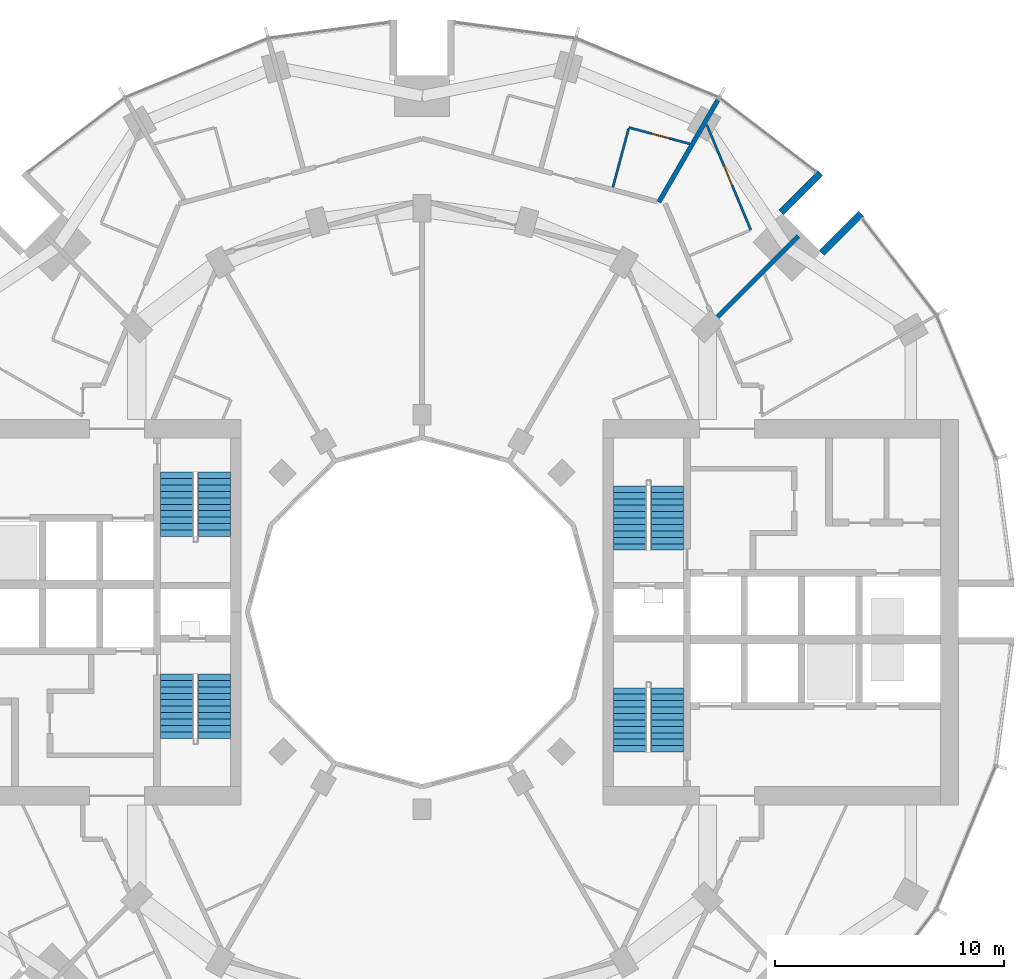
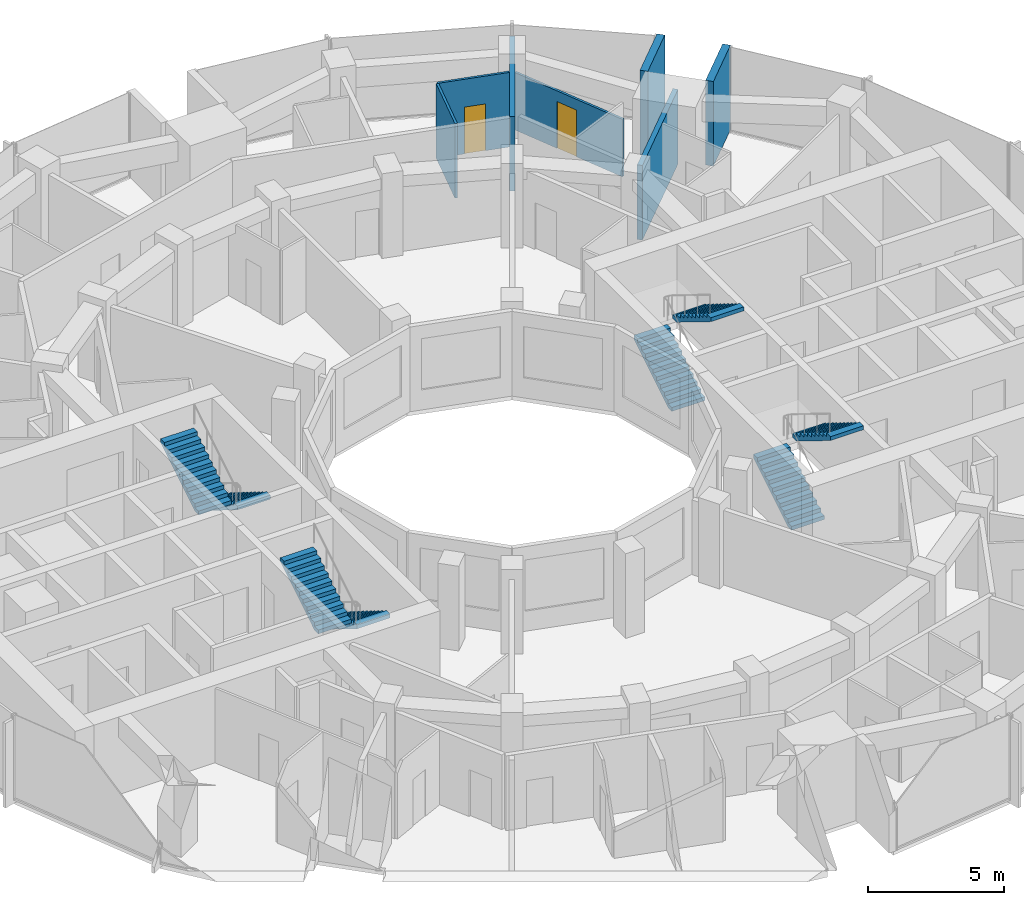
# One storey, part 13 of 15: 8 stair flights, 7 walls, 2 doors, 2 openings, 4 elements without a shape of their own.
"""IFC4 building model written with IfcOpenShell, lengths in metres."""

import ifcopenshell
import ifcopenshell.guid

model = None  # the IFC model being written
_history = None  # IfcOwnerHistory: only IFC2X3 demands one
_inside = {}  # id of a spatial element -> (the spatial element, [elements in it])
_under = {}  # id of a project, library or spatial element -> (it, [spatial elements below it])
_declared = {}  # id of a project -> (the project, [libraries it declares])
_typed = {}  # id of a type object -> (the type object, [elements of that type])
_made_of = {}  # id of a material, layer set ... -> (it, [elements and type objects made of it])


def new_model(schema):
    """Start an empty IFC model of exactly this schema.

    Asked for "IFC4X3", IfcOpenShell would pick the latest addendum, in which some entities
    have other attributes; the version numbers below select the first issue.
    IFC2X3 requires an IfcOwnerHistory on every rooted entity: one is made here for all.
    """
    global model, _history
    if schema == "IFC4X3":
        model = ifcopenshell.file(schema_version=(4, 3, 0, 0))
    else:
        model = ifcopenshell.file(schema=schema)
    _inside.clear()
    _under.clear()
    _declared.clear()
    _typed.clear()
    _made_of.clear()
    _history = None
    if model.schema == "IFC2X3":
        org = make("IfcOrganization", Name="unknown")
        user = make(
            "IfcPersonAndOrganization",
            ThePerson=make("IfcPerson", FamilyName="unknown"),
            TheOrganization=org,
        )
        app = make(
            "IfcApplication",
            ApplicationDeveloper=org,
            Version="unknown",
            ApplicationFullName="unknown",
            ApplicationIdentifier="unknown",
        )
        _history = make(
            "IfcOwnerHistory",
            OwningUser=user,
            OwningApplication=app,
            ChangeAction="ADDED",
            CreationDate=0,
        )
    return model


def make(cls, **values):
    """One entity of the class cls with the attributes given. An attribute that is None is left unset."""
    return model.create_entity(
        cls, **{name: value for name, value in values.items() if value is not None}
    )


def rooted(cls, **values):
    """An entity with a GlobalId (a new one), such as an element, a storey or a relation."""
    return make(cls, GlobalId=ifcopenshell.guid.new(), OwnerHistory=_history, **values)


def si_unit(unit_type, name, prefix=None):
    """IfcSIUnit, for example si_unit("LENGTHUNIT", "METRE", prefix="MILLI")."""
    return make("IfcSIUnit", UnitType=unit_type, Prefix=prefix, Name=name)


def assignment(units):
    """IfcUnitAssignment: the units of a project."""
    return None if units is None else make("IfcUnitAssignment", Units=units)


def point(xyz):
    """IfcCartesianPoint."""
    return None if xyz is None else make("IfcCartesianPoint", Coordinates=xyz)


def direction(xyz):
    """IfcDirection."""
    return None if xyz is None else make("IfcDirection", DirectionRatios=xyz)


def frame(location, z_axis=None, x_axis=None):
    """IfcAxis2Placement3D, a coordinate frame: its origin and axes. An axis left out is left unset."""
    return make(
        "IfcAxis2Placement3D",
        Location=point(location),
        Axis=direction(z_axis),
        RefDirection=direction(x_axis),
    )


def frame_2d(location, x_axis=None):
    """IfcAxis2Placement2D, a coordinate frame in the plane: its origin and x axis."""
    return make(
        "IfcAxis2Placement2D", Location=point(location), RefDirection=direction(x_axis)
    )


def origin():
    """The frame at (0, 0, 0) with its axes left unset."""
    return frame((0.0, 0.0, 0.0))


def place(relative_to, where):
    """IfcLocalPlacement: puts the frame where relative to a parent placement (None: the world)."""
    return make(
        "IfcLocalPlacement", PlacementRelTo=relative_to, RelativePlacement=where
    )


def context(
    kind, dimensions, precision=None, world=None, true_north=None, identifier=None
):
    """IfcGeometricRepresentationContext, for example the 3D "Model" context."""
    return make(
        "IfcGeometricRepresentationContext",
        ContextIdentifier=identifier,
        ContextType=kind,
        CoordinateSpaceDimension=dimensions,
        Precision=precision,
        WorldCoordinateSystem=world,
        TrueNorth=true_north,
    )


def subcontext(parent, identifier, kind, view, scale=None):
    """IfcGeometricRepresentationSubContext, for example "Body" below "Model"."""
    return make(
        "IfcGeometricRepresentationSubContext",
        ContextIdentifier=identifier,
        ContextType=kind,
        ParentContext=parent,
        TargetScale=scale,
        TargetView=view,
    )


def project(units=None, contexts=None):
    """IfcProject with its units and contexts."""
    return rooted(
        "IfcProject",
        Name="project",
        RepresentationContexts=contexts,
        UnitsInContext=assignment(units),
    )


def spatial(cls, under=None, at=None, **own):
    """A site, building, storey or space (cls), placed at a placement, below another one or the project."""
    s = rooted(cls, ObjectPlacement=at, **own)
    if under is not None:
        _under.setdefault(under.id(), (under, []))[1].append(s)
    return s


def polyline(points):
    """IfcPolyline through the points."""
    return make("IfcPolyline", Points=[point(p) for p in points])


def profile(cls, at=None, kind="AREA", **sizes):
    """A parametric profile (cls). Its sizes go by their IFC names, for example OverallWidth=200.0."""
    return make(cls, ProfileType=kind, Position=at, **sizes)


def rectangle(**sizes):
    """IfcRectangleProfileDef."""
    return profile("IfcRectangleProfileDef", **sizes)


def outline(outer, holes=None, kind="AREA"):
    """IfcArbitraryClosedProfileDef: a profile drawn as a closed curve; with holes, ...WithVoids."""
    if holes is None:
        return make("IfcArbitraryClosedProfileDef", ProfileType=kind, OuterCurve=outer)
    return make(
        "IfcArbitraryProfileDefWithVoids",
        ProfileType=kind,
        OuterCurve=outer,
        InnerCurves=holes,
    )


def extrude(swept, where, along, depth):
    """IfcExtrudedAreaSolid: the profile swept, set in the frame where, extruded along a direction by depth."""
    return make(
        "IfcExtrudedAreaSolid",
        SweptArea=swept,
        Position=where,
        ExtrudedDirection=direction(along),
        Depth=depth,
    )


def shape(context_of_items, identifier, shape_type, items):
    """IfcShapeRepresentation: the items that make up one representation, for example the "Body"."""
    return make(
        "IfcShapeRepresentation",
        ContextOfItems=context_of_items,
        RepresentationIdentifier=identifier,
        RepresentationType=shape_type,
        Items=items,
    )


def material(Name=None, Category=None):
    """IfcMaterial."""
    return make("IfcMaterial", Name=Name, Category=Category)


def layer(
    of_material, thickness, ventilated=None, Name=None, Category=None, Priority=None
):
    """IfcMaterialLayer: one layer of a wall or slab, of a material (None: an air gap)."""
    return make(
        "IfcMaterialLayer",
        Material=of_material,
        LayerThickness=thickness,
        IsVentilated=ventilated,
        Name=Name,
        Category=Category,
        Priority=Priority,
    )


def layer_set(layers, Name=None):
    """IfcMaterialLayerSet."""
    return make("IfcMaterialLayerSet", MaterialLayers=layers, LayerSetName=Name)


def made_of(thing, what):
    """Note that an element or type object is made of a material, layer set ...; save() writes the relation."""
    if what is not None:
        _made_of.setdefault(what.id(), (what, []))[1].append(thing)
    return thing


def type_object(cls, material=None, **own):
    """A type object (cls), such as IfcWallType, which elements share."""
    return made_of(rooted(cls, **own), material)


def element(
    cls,
    number,
    at=None,
    inside=None,
    cuts=None,
    type_object=None,
    material=None,
    context=None,
    identifier="Body",
    shape_type=None,
    held_by="IfcProductDefinitionShape",
    body=None,
    shapes=None,
    **own,
):
    """One element of the class cls, such as IfcWall. Its Tag is "e" and its number.

    at: its placement. inside: the storey or other place that contains it. cuts: it is an
    opening in that element (IfcRelVoidsElement). A single representation is given by context,
    identifier, shape_type and body (its items); several are given by shapes. held_by: the class
    of the entity that holds the representations. save() writes the other relations.
    """
    e = rooted(cls, Tag="e%d" % number, ObjectPlacement=at, **own)
    if body is not None:
        shapes = [shape(context, identifier, shape_type, body)]
    if shapes is not None:
        e.Representation = make(held_by, Representations=shapes)
    if inside is not None:
        _inside.setdefault(inside.id(), (inside, []))[1].append(e)
    if cuts is not None:
        rooted(
            "IfcRelVoidsElement", RelatingBuildingElement=cuts, RelatedOpeningElement=e
        )
    if type_object is not None:
        _typed.setdefault(type_object.id(), (type_object, []))[1].append(e)
    return made_of(e, material)


def fill(opening, filler):
    """IfcRelFillsElement: the door or window that sits in an opening."""
    return rooted(
        "IfcRelFillsElement",
        RelatingOpeningElement=opening,
        RelatedBuildingElement=filler,
    )


def aggregate(whole, parts):
    """IfcRelAggregates: a whole, such as a stair, and the parts it consists of."""
    return rooted("IfcRelAggregates", RelatingObject=whole, RelatedObjects=parts)


def save(model, path):
    """Write the relations noted so far, then the file.

    IfcRelAggregates (storeys below a building ...), IfcRelContainedInSpatialStructure (elements
    in a storey), IfcRelDefinesByType, IfcRelAssociatesMaterial and IfcRelDeclares: one each for
    every whole, place, type object, material and project.
    """
    for whole, parts in _under.values():
        aggregate(whole, parts)
    for where, things in _inside.values():
        rooted(
            "IfcRelContainedInSpatialStructure",
            RelatedElements=things,
            RelatingStructure=where,
        )
    for kind, things in _typed.values():
        rooted("IfcRelDefinesByType", RelatedObjects=things, RelatingType=kind)
    for what, things in _made_of.values():
        rooted("IfcRelAssociatesMaterial", RelatedObjects=things, RelatingMaterial=what)
    for by, libraries in _declared.values():
        rooted("IfcRelDeclares", RelatingContext=by, RelatedDefinitions=libraries)
    model.write(path)


model = new_model("IFC4")

# Units and contexts
model_context = context("Model", 3, precision=1e-05, world=origin(), true_north=direction((0.0, 1.0)))
body_context = subcontext(model_context, "Body", "Model", "MODEL_VIEW")
ifc_project = project(units=[si_unit("LENGTHUNIT", "METRE"), si_unit("AREAUNIT", "SQUARE_METRE"), si_unit("VOLUMEUNIT", "CUBIC_METRE"), si_unit("PLANEANGLEUNIT", "RADIAN"), si_unit("MASSUNIT", "GRAM", prefix="KILO")], contexts=[model_context])

# Site, building, storey
site_placement = place(None, origin())
site = spatial("IfcSite", under=ifc_project, at=site_placement, CompositionType="ELEMENT")
building_placement = place(site_placement, origin())
building = spatial("IfcBuilding", under=site, at=building_placement, Name="Torre Brocal", CompositionType="ELEMENT")
storey_placement = place(building_placement, frame((0.0, 0.0, 86.199951171875)))
storey = spatial("IfcBuildingStorey", under=building, at=storey_placement, Name="L19", CompositionType="ELEMENT", Elevation=86.199951171875)

# Walls
ifc_material_1 = material(Name="Concrete C80", Category="concrete")
ifc_layer_1 = layer(ifc_material_1, 0.300048828125)
ifc_layer_set_1 = layer_set([ifc_layer_1], Name="Concrete C80")
wall_type_1 = type_object("IfcWallType", Name="NOTCH RETURN WALL 300 C80", PredefinedType="NOTDEFINED", material=ifc_layer_set_1)
for number, where, z_axis, x_axis, name in (
    (1, (97.43017578125, 90.662353515625, 0.0), (0.0, 0.0, 1.0), (0.707106781187, 0.707106781187, 0.0), "NOTCH RETURN WALL"),
    (2, (95.662353515625, 92.43017578125, 0.0), (0.0, 0.0, 1.0), (0.707106781187, 0.707106781187, 0.0), "NOTCH RETURN WALL"),
):
    element("IfcWall", number, at=place(storey_placement, frame(where, z_axis=z_axis, x_axis=x_axis)), inside=storey, type_object=wall_type_1, Name=name, PredefinedType="NOTDEFINED", context=body_context, shape_type="SweptSolid", body=[
        extrude(rectangle(XDim=2.415771484375, YDim=0.300048828125, at=frame_2d((1.2080078125, 0.0))), origin(), (0.0, 0.0, 1.0), 3.800048828125),
    ])
ifc_material_2 = material(Name="Gypsum board", Category="Gypsum")
ifc_layer_2 = layer(ifc_material_2, 0.10009765625)
ifc_layer_set_2 = layer_set([ifc_layer_2], Name="Gypsum board")
wall_type_2 = type_object("IfcWallType", Name="PARTITION 100", PredefinedType="PARTITIONING", material=ifc_layer_set_2)
wall_1_placement = place(storey_placement, frame((88.32080078125, 93.5205078125, 0.0), z_axis=(0.0, 0.0, 1.0), x_axis=(0.258677737588, 0.965963678446, 0.0)))
element("IfcWall", 3, at=wall_1_placement, inside=storey, type_object=wall_type_2, Name="BATHROOM WALL", PredefinedType="PARTITIONING", context=body_context, shape_type="SweptSolid", body=[
    extrude(rectangle(XDim=2.649169921875, YDim=0.10009765625, at=frame_2d((1.32470703125, 0.0))), origin(), (0.0, 0.0, 1.0), 3.35009765625),
])

# Wall, opening, door
wall_2_placement = place(storey_placement, frame((89.018798828125, 96.12744140625, 0.0), z_axis=(0.0, 0.0, 1.0), x_axis=(0.965839030583, -0.259142754101, 0.0)))
wall_2 = element("IfcWall", 4, at=wall_2_placement, inside=storey, type_object=wall_type_2, Name="BATHROOM WALL", PredefinedType="PARTITIONING", context=body_context, shape_type="SweptSolid", body=[
    extrude(rectangle(XDim=2.740478515625, YDim=0.10009765625, at=frame_2d((1.3701171875, 0.0))), origin(), (0.0, 0.0, 1.0), 3.35009765625),
])
opening_1_placement = place(wall_2_placement, frame((1.025634765625, 0.0, 0.0)))
opening_1 = element("IfcOpeningElement", 5, at=opening_1_placement, cuts=wall_2, Name="Opening H05-D07", PredefinedType="OPENING", context=body_context, shape_type="SweptSolid", body=[
    extrude(rectangle(XDim=0.800048828125, YDim=2.10009765625, at=frame_2d((0.39990234375, 1.050048828125))), frame((0.0, 0.06005859375, 0.0), z_axis=(0.0, -1.0, 0.0), x_axis=(1.0, 0.0, 0.0)), (0.0, 0.0, 1.0), 0.1201171875),
])
ifc_material_3 = material(Name="Timber", Category="wood")
door_type_1 = type_object("IfcDoorType", Name="BATHROOM DOOR 800X2100", OperationType="SINGLE_SWING_LEFT", PredefinedType="DOOR", material=ifc_material_3)
door_1_placement = place(opening_1_placement, frame((0.800048828125, 0.0, 0.0), z_axis=(0.0, 0.0, 1.0), x_axis=(-1.0, 0.0, 0.0)))
door_1 = element("IfcDoor", 6, at=door_1_placement, inside=storey, type_object=door_type_1, Name="H05-D07", OperationType="SINGLE_SWING_LEFT", OverallHeight=2.10009765625, OverallWidth=0.800048828125, PredefinedType="DOOR", context=body_context, shape_type="SweptSolid", body=[
    extrude(rectangle(XDim=0.800048828125, YDim=2.10009765625, at=frame_2d((0.39990234375, 1.050048828125))), frame((0.0, 0.02490234375, 0.0), z_axis=(0.0, -1.0, 0.0), x_axis=(1.0, 0.0, 0.0)), (0.0, 0.0, 1.0), 0.050048828125),
])
fill(opening_1, door_1)

ifc_material_4 = material(Name="Gypsum board", Category="Gypsum")
ifc_layer_3 = layer(ifc_material_4, 0.10009765625)
ifc_layer_set_3 = layer_set([ifc_layer_3], Name="Gypsum board")
wall_type_3 = type_object("IfcWallType", Name="PARTITION 100 UNDER BEAM 1220", PredefinedType="PARTITIONING", material=ifc_layer_set_3)
wall_3_placement = place(storey_placement, frame((92.4140625, 96.24609375, 0.0), z_axis=(0.0, 0.0, 1.0), x_axis=(0.386353683992, -0.922350709256, 0.0)))
wall_3 = element("IfcWall", 7, at=wall_3_placement, inside=storey, type_object=wall_type_3, Name="BATHROOM WALL", PredefinedType="PARTITIONING", context=body_context, shape_type="SweptSolid", body=[
    extrude(rectangle(XDim=4.974365234375, YDim=0.10009765625, at=frame_2d((2.4873046875, 0.0))), origin(), (0.0, 0.0, 1.0), 2.580078125),
])
opening_2_placement = place(wall_3_placement, frame((1.95703125, 0.0, 0.0)))
opening_2 = element("IfcOpeningElement", 8, at=opening_2_placement, cuts=wall_3, Name="Opening H05-D05", PredefinedType="OPENING", context=body_context, shape_type="SweptSolid", body=[
    extrude(rectangle(XDim=0.89990234375, YDim=2.10009765625, at=frame_2d((0.449951171875, 1.050048828125))), frame((0.0, 0.06005859375, 0.0), z_axis=(0.0, -1.0, 0.0), x_axis=(1.0, 0.0, 0.0)), (0.0, 0.0, 1.0), 0.1201171875),
])
ifc_material_5 = material(Name="Timber", Category="wood")
door_type_2 = type_object("IfcDoorType", Name="ACCESSIBLE BATHROOM DOOR 900X2100", OperationType="SINGLE_SWING_LEFT", PredefinedType="DOOR", material=ifc_material_5)
door_2_placement = place(opening_2_placement, frame((0.89990234375, 0.0, 0.0), z_axis=(0.0, 0.0, 1.0), x_axis=(-1.0, 0.0, 0.0)))
door_2 = element("IfcDoor", 9, at=door_2_placement, inside=storey, type_object=door_type_2, Name="H05-D05", OperationType="SINGLE_SWING_RIGHT", OverallHeight=2.10009765625, OverallWidth=0.89990234375, PredefinedType="DOOR", context=body_context, shape_type="SweptSolid", body=[
    extrude(rectangle(XDim=0.89990234375, YDim=2.10009765625, at=frame_2d((0.449951171875, 1.050048828125))), frame((0.0, 0.02490234375, 0.0), z_axis=(0.0, -1.0, 0.0), x_axis=(1.0, 0.0, 0.0)), (0.0, 0.0, 1.0), 0.050048828125),
])
fill(opening_2, door_2)

# Walls
ifc_material_6 = material(Name="Gypsum board", Category="Gypsum")
ifc_layer_4 = layer(ifc_material_6, 0.199951171875)
ifc_layer_set_4 = layer_set([ifc_layer_4], Name="Gypsum board")
wall_type_4 = type_object("IfcWallType", Name="PARTITION 200 EI60", PredefinedType="PARTITIONING", material=ifc_layer_set_4)
wall_4_placement = place(storey_placement, frame((90.32666015625, 92.8779296875, 0.0), z_axis=(0.0, 0.0, 1.0), x_axis=(0.50022153717, 0.865897461453, 0.0)))
element("IfcWall", 10, at=wall_4_placement, inside=storey, type_object=wall_type_4, Name="BATHROOM WALL", PredefinedType="PARTITIONING", context=body_context, shape_type="SweptSolid", body=[
    extrude(rectangle(XDim=5.151611328125, YDim=0.199951171875, at=frame_2d((2.57568359375, 0.0))), origin(), (0.0, 0.0, 1.0), 3.35009765625),
])
wall_5_placement = place(storey_placement, frame((92.831787109375, 87.824462890625, 0.0), z_axis=(0.0, 0.0, 1.0), x_axis=(0.707251566381, 0.70696196634, 0.0)))
element("IfcWall", 11, at=wall_5_placement, inside=storey, type_object=wall_type_4, Name="BATHROOM WALL", PredefinedType="PARTITIONING", context=body_context, shape_type="SweptSolid", body=[
    extrude(rectangle(XDim=5.05810546875, YDim=0.199951171875, at=frame_2d((2.529052734375, 0.0))), origin(), (0.0, 0.0, 1.0), 3.35009765625),
])

# Stair, stair flights
ifc_material_7 = material(Name="Concrete C50", Category="concrete")
stair_type = type_object("IfcStairType", Name="EXIT STAIR", PredefinedType="HALF_TURN_STAIR", material=ifc_material_7)
stair_1_placement = place(storey_placement, origin())
stair_1 = element("IfcStair", 12, at=stair_1_placement, inside=storey, type_object=stair_type, Name="EXIT STAIR ST1", PredefinedType="HALF_TURN_STAIR")
ifc_material_8 = material(Name="Concrete C50", Category="concrete")
ifc_layer_5 = layer(ifc_material_8, 0.14990234375)
ifc_layer_set_5 = layer_set([ifc_layer_5], Name="Concrete C50")
stair_flight_type = type_object("IfcStairFlightType", Name="STAIR FLIGHT", PredefinedType="STRAIGHT", material=ifc_layer_set_5)
stair_flight_1_placement = place(storey_placement, frame((89.050048828125, 77.699951171875, 0.0), z_axis=(0.0, 0.0, 1.0), x_axis=(0.0, 1.0, 0.0)))
stair_flight_1 = element("IfcStairFlight", 13, at=stair_flight_1_placement, type_object=stair_flight_type, Name="ST1 flight 1", NumberOfRisers=11, NumberOfTreads=10, PredefinedType="STRAIGHT", RiserHeight=0.172727273, TreadLength=0.28, context=body_context, shape_type="SweptSolid", body=[
    extrude(outline(polyline([(0.0, 0.0), (0.0, 0.172607421875), (0.280029296875, 0.172607421875), (0.280029296875, 0.345458984375), (0.56005859375, 0.345458984375), (0.56005859375, 0.51806640625), (0.840087890625, 0.51806640625), (0.840087890625, 0.69091796875), (1.1201171875, 0.69091796875), (1.1201171875, 0.863525390625), (1.39990234375, 0.863525390625), (1.39990234375, 1.036376953125), (1.679931640625, 1.036376953125), (1.679931640625, 1.208984375), (1.9599609375, 1.208984375), (1.9599609375, 1.3818359375), (2.239990234375, 1.3818359375), (2.239990234375, 1.554443359375), (2.52001953125, 1.554443359375), (2.52001953125, 1.727294921875), (2.800048828125, 1.727294921875), (2.800048828125, 1.89990234375), (2.800048828125, 1.551025390625), (0.285400390625, 0.0), (0.0, 0.0)])), frame((0.0, 0.699951171875, 0.0), z_axis=(0.0, -1.0, 0.0), x_axis=(1.0, 0.0, 0.0)), (0.0, 0.0, 1.0), 1.39990234375),
])
stair_flight_2_placement = place(storey_placement, frame((90.699951171875, 80.5, 1.900146484375), z_axis=(0.0, 0.0, 1.0), x_axis=(0.0, -1.0, 0.0)))
stair_flight_2 = element("IfcStairFlight", 14, at=stair_flight_2_placement, type_object=stair_flight_type, Name="ST1 flight 2", NumberOfRisers=11, NumberOfTreads=10, PredefinedType="STRAIGHT", RiserHeight=0.172727273, TreadLength=0.28, context=body_context, shape_type="SweptSolid", body=[
    extrude(outline(polyline([(0.0, 0.0), (0.0, 0.172607421875), (0.280029296875, 0.172607421875), (0.280029296875, 0.345458984375), (0.56005859375, 0.345458984375), (0.56005859375, 0.51806640625), (0.840087890625, 0.51806640625), (0.840087890625, 0.69091796875), (1.1201171875, 0.69091796875), (1.1201171875, 0.863525390625), (1.39990234375, 0.863525390625), (1.39990234375, 1.036376953125), (1.679931640625, 1.036376953125), (1.679931640625, 1.208984375), (1.9599609375, 1.208984375), (1.9599609375, 1.3818359375), (2.239990234375, 1.3818359375), (2.239990234375, 1.554443359375), (2.52001953125, 1.554443359375), (2.52001953125, 1.727294921875), (2.800048828125, 1.727294921875), (2.800048828125, 1.89990234375), (2.800048828125, 1.551025390625), (0.285400390625, 0.0), (0.0, 0.0)])), frame((0.0, 0.699951171875, 0.0), z_axis=(0.0, -1.0, 0.0), x_axis=(1.0, 0.0, 0.0)), (0.0, 0.0, 1.0), 1.39990234375),
])
aggregate(stair_1, [stair_flight_1, stair_flight_2])

stair_2_placement = place(storey_placement, origin())
stair_2 = element("IfcStair", 15, at=stair_2_placement, inside=storey, type_object=stair_type, Name="EXIT STAIR ST2", PredefinedType="HALF_TURN_STAIR")
stair_flight_3_placement = place(storey_placement, frame((89.050048828125, 68.89990234375, 0.0), z_axis=(0.0, 0.0, 1.0), x_axis=(0.0, 1.0, 0.0)))
stair_flight_3 = element("IfcStairFlight", 16, at=stair_flight_3_placement, type_object=stair_flight_type, Name="ST2 flight 1", NumberOfRisers=11, NumberOfTreads=10, PredefinedType="STRAIGHT", RiserHeight=0.172727273, TreadLength=0.28, context=body_context, shape_type="SweptSolid", body=[
    extrude(outline(polyline([(0.0, 0.0), (0.0, 0.172607421875), (0.280029296875, 0.172607421875), (0.280029296875, 0.345458984375), (0.56005859375, 0.345458984375), (0.56005859375, 0.51806640625), (0.840087890625, 0.51806640625), (0.840087890625, 0.69091796875), (1.1201171875, 0.69091796875), (1.1201171875, 0.863525390625), (1.39990234375, 0.863525390625), (1.39990234375, 1.036376953125), (1.679931640625, 1.036376953125), (1.679931640625, 1.208984375), (1.9599609375, 1.208984375), (1.9599609375, 1.3818359375), (2.239990234375, 1.3818359375), (2.239990234375, 1.554443359375), (2.52001953125, 1.554443359375), (2.52001953125, 1.727294921875), (2.800048828125, 1.727294921875), (2.800048828125, 1.89990234375), (2.800048828125, 1.551025390625), (0.285400390625, 0.0), (0.0, 0.0)])), frame((0.0, 0.699951171875, 0.0), z_axis=(0.0, -1.0, 0.0), x_axis=(1.0, 0.0, 0.0)), (0.0, 0.0, 1.0), 1.39990234375),
])
stair_flight_4_placement = place(storey_placement, frame((90.699951171875, 71.699951171875, 1.900146484375), z_axis=(0.0, 0.0, 1.0), x_axis=(0.0, -1.0, 0.0)))
stair_flight_4 = element("IfcStairFlight", 17, at=stair_flight_4_placement, type_object=stair_flight_type, Name="ST2 flight 2", NumberOfRisers=11, NumberOfTreads=10, PredefinedType="STRAIGHT", RiserHeight=0.172727273, TreadLength=0.28, context=body_context, shape_type="SweptSolid", body=[
    extrude(outline(polyline([(0.0, 0.0), (0.0, 0.172607421875), (0.280029296875, 0.172607421875), (0.280029296875, 0.345458984375), (0.56005859375, 0.345458984375), (0.56005859375, 0.51806640625), (0.840087890625, 0.51806640625), (0.840087890625, 0.69091796875), (1.1201171875, 0.69091796875), (1.1201171875, 0.863525390625), (1.39990234375, 0.863525390625), (1.39990234375, 1.036376953125), (1.679931640625, 1.036376953125), (1.679931640625, 1.208984375), (1.9599609375, 1.208984375), (1.9599609375, 1.3818359375), (2.239990234375, 1.3818359375), (2.239990234375, 1.554443359375), (2.52001953125, 1.554443359375), (2.52001953125, 1.727294921875), (2.800048828125, 1.727294921875), (2.800048828125, 1.89990234375), (2.800048828125, 1.551025390625), (0.285400390625, 0.0), (0.0, 0.0)])), frame((0.0, 0.699951171875, 0.0), z_axis=(0.0, -1.0, 0.0), x_axis=(1.0, 0.0, 0.0)), (0.0, 0.0, 1.0), 1.39990234375),
])
aggregate(stair_2, [stair_flight_3, stair_flight_4])

stair_3_placement = place(storey_placement, origin())
stair_3 = element("IfcStair", 18, at=stair_3_placement, inside=storey, type_object=stair_type, Name="EXIT STAIR ST3", PredefinedType="HALF_TURN_STAIR")
stair_flight_5_placement = place(storey_placement, frame((70.949951171875, 72.300048828125, 0.0), z_axis=(0.0, 0.0, 1.0), x_axis=(0.0, -1.0, 0.0)))
stair_flight_5 = element("IfcStairFlight", 19, at=stair_flight_5_placement, type_object=stair_flight_type, Name="ST3 flight 1", NumberOfRisers=11, NumberOfTreads=10, PredefinedType="STRAIGHT", RiserHeight=0.172727273, TreadLength=0.28, context=body_context, shape_type="SweptSolid", body=[
    extrude(outline(polyline([(0.0, 0.0), (0.0, 0.172607421875), (0.280029296875, 0.172607421875), (0.280029296875, 0.345458984375), (0.56005859375, 0.345458984375), (0.56005859375, 0.51806640625), (0.840087890625, 0.51806640625), (0.840087890625, 0.69091796875), (1.1201171875, 0.69091796875), (1.1201171875, 0.863525390625), (1.39990234375, 0.863525390625), (1.39990234375, 1.036376953125), (1.679931640625, 1.036376953125), (1.679931640625, 1.208984375), (1.9599609375, 1.208984375), (1.9599609375, 1.3818359375), (2.239990234375, 1.3818359375), (2.239990234375, 1.554443359375), (2.52001953125, 1.554443359375), (2.52001953125, 1.727294921875), (2.800048828125, 1.727294921875), (2.800048828125, 1.89990234375), (2.800048828125, 1.551025390625), (0.285400390625, 0.0), (0.0, 0.0)])), frame((0.0, 0.699951171875, 0.0), z_axis=(0.0, -1.0, 0.0), x_axis=(1.0, 0.0, 0.0)), (0.0, 0.0, 1.0), 1.39990234375),
])
stair_flight_6_placement = place(storey_placement, frame((69.300048828125, 69.5, 1.900146484375), z_axis=(0.0, 0.0, 1.0), x_axis=(0.0, 1.0, 0.0)))
stair_flight_6 = element("IfcStairFlight", 20, at=stair_flight_6_placement, type_object=stair_flight_type, Name="ST3 flight 2", NumberOfRisers=11, NumberOfTreads=10, PredefinedType="STRAIGHT", RiserHeight=0.172727273, TreadLength=0.28, context=body_context, shape_type="SweptSolid", body=[
    extrude(outline(polyline([(0.0, 0.0), (0.0, 0.172607421875), (0.280029296875, 0.172607421875), (0.280029296875, 0.345458984375), (0.56005859375, 0.345458984375), (0.56005859375, 0.51806640625), (0.840087890625, 0.51806640625), (0.840087890625, 0.69091796875), (1.1201171875, 0.69091796875), (1.1201171875, 0.863525390625), (1.39990234375, 0.863525390625), (1.39990234375, 1.036376953125), (1.679931640625, 1.036376953125), (1.679931640625, 1.208984375), (1.9599609375, 1.208984375), (1.9599609375, 1.3818359375), (2.239990234375, 1.3818359375), (2.239990234375, 1.554443359375), (2.52001953125, 1.554443359375), (2.52001953125, 1.727294921875), (2.800048828125, 1.727294921875), (2.800048828125, 1.89990234375), (2.800048828125, 1.551025390625), (0.285400390625, 0.0), (0.0, 0.0)])), frame((0.0, 0.699951171875, 0.0), z_axis=(0.0, -1.0, 0.0), x_axis=(1.0, 0.0, 0.0)), (0.0, 0.0, 1.0), 1.39990234375),
])
aggregate(stair_3, [stair_flight_5, stair_flight_6])

stair_4_placement = place(storey_placement, origin())
stair_4 = element("IfcStair", 21, at=stair_4_placement, inside=storey, type_object=stair_type, Name="EXIT STAIR ST4", PredefinedType="HALF_TURN_STAIR")
stair_flight_7_placement = place(storey_placement, frame((70.949951171875, 81.10009765625, 0.0), z_axis=(0.0, 0.0, 1.0), x_axis=(0.0, -1.0, 0.0)))
stair_flight_7 = element("IfcStairFlight", 22, at=stair_flight_7_placement, type_object=stair_flight_type, Name="ST4 flight 1", NumberOfRisers=11, NumberOfTreads=10, PredefinedType="STRAIGHT", RiserHeight=0.172727273, TreadLength=0.28, context=body_context, shape_type="SweptSolid", body=[
    extrude(outline(polyline([(0.0, 0.0), (0.0, 0.172607421875), (0.280029296875, 0.172607421875), (0.280029296875, 0.345458984375), (0.56005859375, 0.345458984375), (0.56005859375, 0.51806640625), (0.840087890625, 0.51806640625), (0.840087890625, 0.69091796875), (1.1201171875, 0.69091796875), (1.1201171875, 0.863525390625), (1.39990234375, 0.863525390625), (1.39990234375, 1.036376953125), (1.679931640625, 1.036376953125), (1.679931640625, 1.208984375), (1.9599609375, 1.208984375), (1.9599609375, 1.3818359375), (2.239990234375, 1.3818359375), (2.239990234375, 1.554443359375), (2.52001953125, 1.554443359375), (2.52001953125, 1.727294921875), (2.800048828125, 1.727294921875), (2.800048828125, 1.89990234375), (2.800048828125, 1.551025390625), (0.285400390625, 0.0), (0.0, 0.0)])), frame((0.0, 0.699951171875, 0.0), z_axis=(0.0, -1.0, 0.0), x_axis=(1.0, 0.0, 0.0)), (0.0, 0.0, 1.0), 1.39990234375),
])
stair_flight_8_placement = place(storey_placement, frame((69.300048828125, 78.300048828125, 1.900146484375), z_axis=(0.0, 0.0, 1.0), x_axis=(0.0, 1.0, 0.0)))
stair_flight_8 = element("IfcStairFlight", 23, at=stair_flight_8_placement, type_object=stair_flight_type, Name="ST4 flight 2", NumberOfRisers=11, NumberOfTreads=10, PredefinedType="STRAIGHT", RiserHeight=0.172727273, TreadLength=0.28, context=body_context, shape_type="SweptSolid", body=[
    extrude(outline(polyline([(0.0, 0.0), (0.0, 0.172607421875), (0.280029296875, 0.172607421875), (0.280029296875, 0.345458984375), (0.56005859375, 0.345458984375), (0.56005859375, 0.51806640625), (0.840087890625, 0.51806640625), (0.840087890625, 0.69091796875), (1.1201171875, 0.69091796875), (1.1201171875, 0.863525390625), (1.39990234375, 0.863525390625), (1.39990234375, 1.036376953125), (1.679931640625, 1.036376953125), (1.679931640625, 1.208984375), (1.9599609375, 1.208984375), (1.9599609375, 1.3818359375), (2.239990234375, 1.3818359375), (2.239990234375, 1.554443359375), (2.52001953125, 1.554443359375), (2.52001953125, 1.727294921875), (2.800048828125, 1.727294921875), (2.800048828125, 1.89990234375), (2.800048828125, 1.551025390625), (0.285400390625, 0.0), (0.0, 0.0)])), frame((0.0, 0.699951171875, 0.0), z_axis=(0.0, -1.0, 0.0), x_axis=(1.0, 0.0, 0.0)), (0.0, 0.0, 1.0), 1.39990234375),
])
aggregate(stair_4, [stair_flight_7, stair_flight_8])

save(model, "model.ifc")
